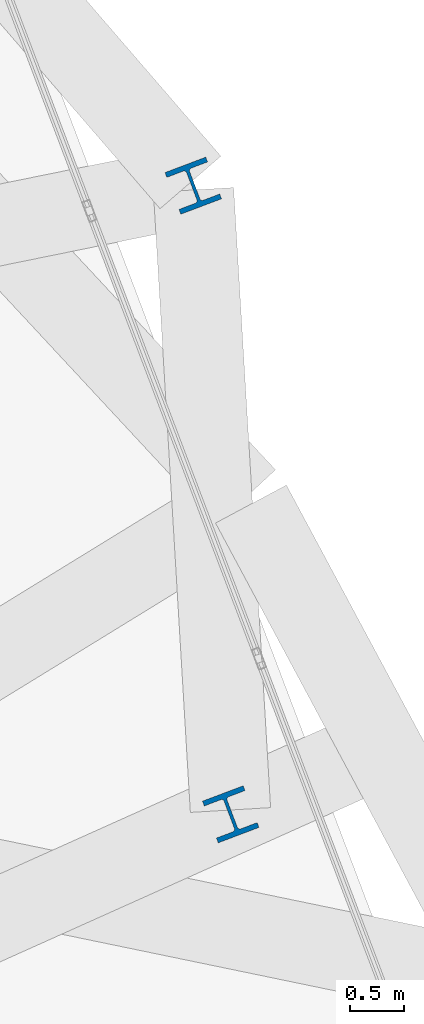
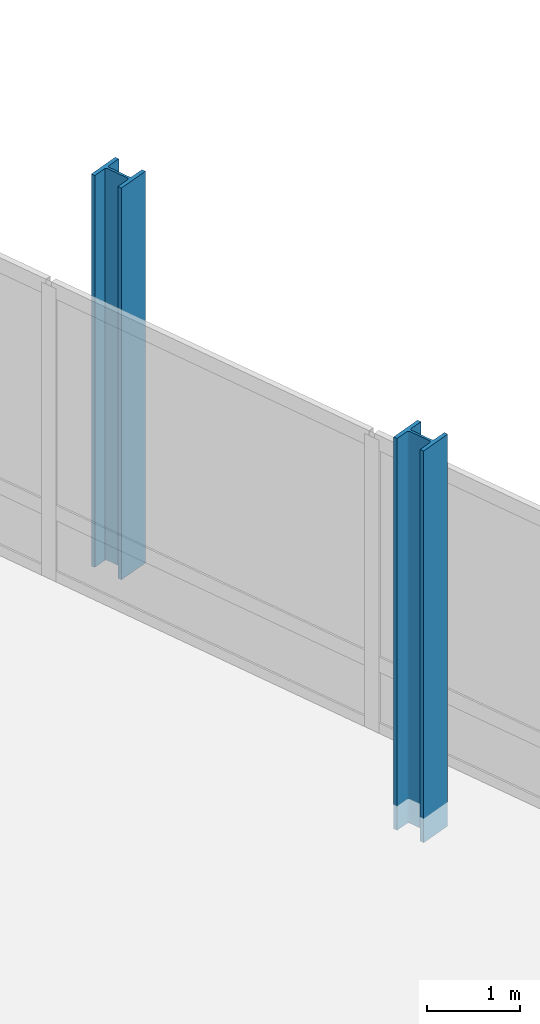
# One storey, part 2 of 19: 2 columns.
"""IFC4 building model written with IfcOpenShell, lengths in metres."""

from ifc_helpers import new_model, si_unit, direction, frame, origin, origin_2d, place, context, subcontext, project, spatial, i_section, extrude, material, material_profile, profile_set, type_object, element, save


model = new_model("IFC4")

# Units and contexts
model_context = context("Model", 3, precision=1e-05, world=origin(), true_north=direction((0.0, 1.0)))
body_context = subcontext(model_context, "Body", "Model", "MODEL_VIEW")
ifc_project = project(units=[si_unit("LENGTHUNIT", "METRE"), si_unit("AREAUNIT", "SQUARE_METRE"), si_unit("VOLUMEUNIT", "CUBIC_METRE"), si_unit("PLANEANGLEUNIT", "RADIAN"), si_unit("MASSUNIT", "GRAM", prefix="KILO")], contexts=[model_context])

# Site, building, storey
site_placement = place(None, origin())
site = spatial("IfcSite", under=ifc_project, at=site_placement, CompositionType="ELEMENT")
building_placement = place(site_placement, origin())
building = spatial("IfcBuilding", under=site, at=building_placement, Name="Varnelok Gate Tower", CompositionType="ELEMENT")
storey_placement = place(building_placement, frame((0.0, 0.0, 207.89990234375)))
storey = spatial("IfcBuildingStorey", under=building, at=storey_placement, Name="L53", CompositionType="ELEMENT", Elevation=207.89990234375)

# Columns
ifc_material = material(Name="Structural Steel ASTM A992 Grade 50", Category="steel")
ifc_material_profile = material_profile(ifc_material, i_section(OverallWidth=0.406005859375, OverallDepth=0.416015625, WebThickness=0.02978515625, FlangeThickness=0.048095703125, FilletRadius=0.02490234375, at=origin_2d()), Name="W14X257")
ifc_profile_set = profile_set([ifc_material_profile], Name="Structural Steel ASTM A992 Grade 50")
column_type = type_object("IfcColumnType", Name="COL-W14X257", PredefinedType="COLUMN", material=ifc_profile_set)
for number, where, z_axis, x_axis, name in (
    (1, (71.05517578125, 26.453369140625, -0.31982421875), (0.0, 0.0, 1.0), (0.935221751401, 0.354062530786, 0.0), "L53 B5 Perimeter Column PC06"),
    (2, (70.70556640625, 32.319580078125, -0.31982421875), (0.0, 0.0, 1.0), (0.935221751401, 0.354062530786, 0.0), "L53 B5 Perimeter Column PC07"),
):
    element("IfcColumn", number, at=place(storey_placement, frame(where, z_axis=z_axis, x_axis=x_axis)), inside=storey, type_object=column_type, Name=name, PredefinedType="COLUMN", context=body_context, shape_type="SweptSolid", body=[
        extrude(i_section(OverallWidth=0.406005859375, OverallDepth=0.416015625, WebThickness=0.02978515625, FlangeThickness=0.048095703125, FilletRadius=0.02490234375, at=origin_2d()), origin(), (0.0, 0.0, 1.0), 5.119873046875),
    ])

save(model, "model.ifc")
